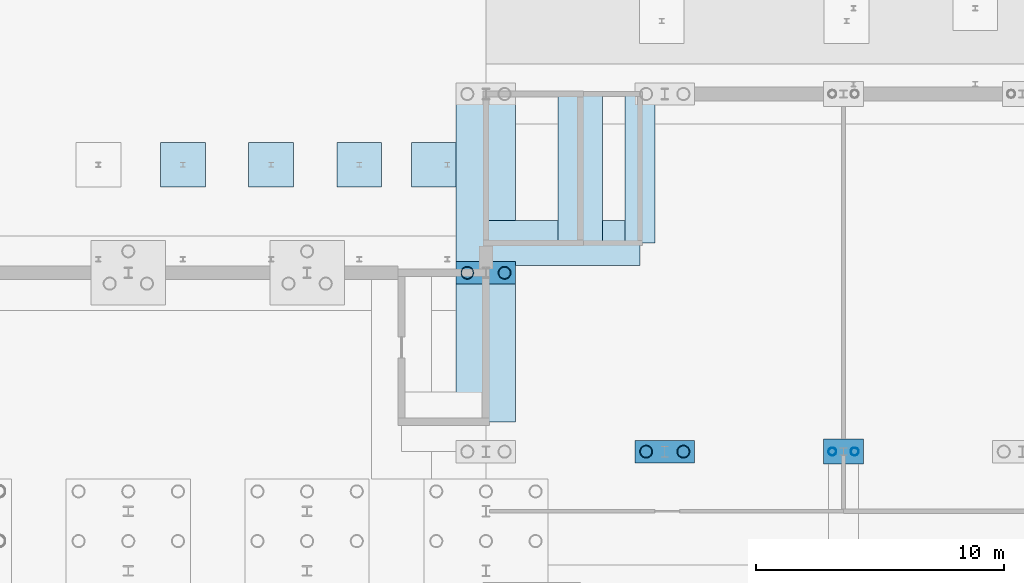
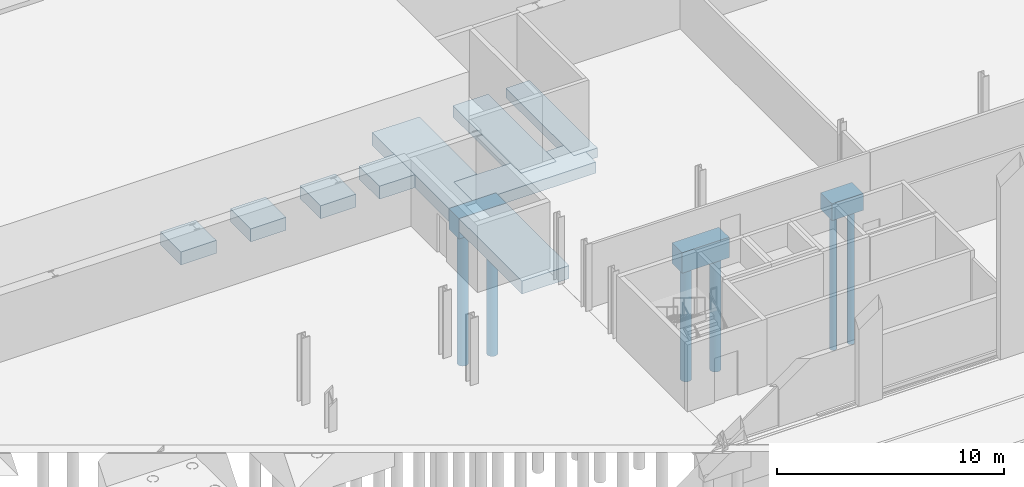
# One storey, part 29 of 148: 11 footings, 6 piles.
"""IFC4 building model written with IfcOpenShell, lengths in metres."""

from ifc_helpers import new_model, si_unit, direction, frame, origin, origin_2d, place, context, subcontext, project, spatial, rectangle, hollow_circle, extrude, material, layer, layer_set, material_profile, profile_set, type_object, element, save


model = new_model("IFC4")

# Units and contexts
model_context = context("Model", 3, precision=1e-05, world=origin(), true_north=direction((0.0, 1.0)))
body_context = subcontext(model_context, "Body", "Model", "MODEL_VIEW")
ifc_project = project(units=[si_unit("LENGTHUNIT", "METRE"), si_unit("AREAUNIT", "SQUARE_METRE"), si_unit("VOLUMEUNIT", "CUBIC_METRE"), si_unit("PLANEANGLEUNIT", "RADIAN"), si_unit("MASSUNIT", "GRAM", prefix="KILO")], contexts=[model_context])

# Site, building, storey
site_placement = place(None, origin())
site = spatial("IfcSite", under=ifc_project, at=site_placement, CompositionType="ELEMENT")
building_placement = place(site_placement, origin())
building = spatial("IfcBuilding", under=site, at=building_placement, Name="Kupolbacken Congress Centre", CompositionType="ELEMENT")
storey_placement = place(building_placement, origin())
storey = spatial("IfcBuildingStorey", under=building, at=storey_placement, Name="L00", CompositionType="ELEMENT", Elevation=0.0)

# Footings
ifc_material_1 = material(Name="Concrete C30/37", Category="concrete")
ifc_layer_1 = layer(ifc_material_1, 1.10009765625)
ifc_layer_set_1 = layer_set([ifc_layer_1], Name="Concrete C30/37")
footing_type_1 = type_object("IfcFootingType", Name="PC2 pile cap 2.40 x 0.90 x 1.10 m", PredefinedType="PILE_CAP", material=ifc_layer_set_1)
for number, where, z_axis, x_axis, name in (
    (1, (144.0, 136.800048828125, -1.400146484375), (0.0, 0.0, 1.0), (1.0, 0.0, 0.0), "S/fnd/C-BF-21V/cap"),
    (2, (136.800048828125, 144.0, -1.400146484375), (0.0, 0.0, 1.0), (1.0, 0.0, 0.0), "S/fnd/C-T-20W/cap"),
):
    element("IfcFooting", number, at=place(storey_placement, frame(where, z_axis=z_axis, x_axis=x_axis)), inside=storey, type_object=footing_type_1, Name=name, PredefinedType="PILE_CAP", context=body_context, shape_type="SweptSolid", body=[
        extrude(rectangle(XDim=2.39990234375, YDim=0.89990234375, at=origin_2d()), origin(), (0.0, 0.0, 1.0), 1.10009765625),
    ])
ifc_material_2 = material(Name="Concrete C30/37", Category="concrete")
ifc_layer_2 = layer(ifc_material_2, 0.89990234375)
ifc_layer_set_2 = layer_set([ifc_layer_2], Name="Concrete C30/37")
footing_type_2 = type_object("IfcFootingType", Name="PC7 pile cap 1.60 x 1.00 x 0.90 m", PredefinedType="PILE_CAP", material=ifc_layer_set_2)
footing_1_placement = place(storey_placement, frame((151.199951171875, 136.800048828125, -1.199951171875), z_axis=(0.0, 0.0, 1.0), x_axis=(1.0, 0.0, 0.0)))
element("IfcFooting", 3, at=footing_1_placement, inside=storey, type_object=footing_type_2, Name="S/fnd/C-B-W/cap", PredefinedType="PILE_CAP", context=body_context, shape_type="SweptSolid", body=[
    extrude(rectangle(XDim=1.60009765625, YDim=1.0, at=origin_2d()), origin(), (0.0, 0.0, 1.0), 0.89990234375),
])
ifc_material_3 = material(Name="Concrete C30/37", Category="concrete")
ifc_layer_3 = layer(ifc_material_3, 0.699951171875)
ifc_layer_set_3 = layer_set([ifc_layer_3], Name="Concrete C30/37")
footing_type_3 = type_object("IfcFootingType", Name="PD4 pad footing 1.80 x 1.80 x 0.70 m", PredefinedType="PAD_FOOTING", material=ifc_layer_set_3)
for number, where, z_axis, x_axis, name in (
    (4, (124.60009765625, 148.35009765625, -1.0), (0.0, 0.0, 1.0), (1.0, 0.0, 0.0), "C/passage/A/padN08"),
    (5, (128.14990234375, 148.35009765625, -1.0), (0.0, 0.0, 1.0), (1.0, 0.0, 0.0), "C/passage/A/padN09"),
    (6, (131.699951171875, 148.35009765625, -1.0), (0.0, 0.0, 1.0), (1.0, 0.0, 0.0), "C/passage/A/padN10"),
    (7, (134.699951171875, 148.35009765625, -1.0), (0.0, 0.0, 1.0), (1.0, 0.0, 0.0), "C/passage/A/padN11"),
):
    element("IfcFooting", number, at=place(storey_placement, frame(where, z_axis=z_axis, x_axis=x_axis)), inside=storey, type_object=footing_type_3, Name=name, PredefinedType="PAD_FOOTING", context=body_context, shape_type="SweptSolid", body=[
        extrude(rectangle(XDim=1.800048828125, YDim=1.800048828125, at=origin_2d()), origin(), (0.0, 0.0, 1.0), 0.699951171875),
    ])

# Piles
ifc_material_4 = material(Name="Steel S355", Category="steel")
ifc_material_profile_1 = material_profile(ifc_material_4, hollow_circle(Radius=0.161865234375, WallThickness=0.012451171875, at=origin_2d()), Name="CHS 323.9 x 12.5")
ifc_profile_set_1 = profile_set([ifc_material_profile_1], Name="Steel S355")
pile_type_1 = type_object("IfcPileType", Name="PL1 steel tube pile CHS 323.9 x 12.5", PredefinedType="BORED", material=ifc_profile_set_1)
for number, where, z_axis, x_axis, name in (
    (8, (150.75, 136.800048828125, -1.199951171875), (0.0, 0.0, -1.0), (1.0, 0.0, 0.0), "S/fnd/C-B-W/pile1"),
    (9, (151.64990234375, 136.800048828125, -1.199951171875), (0.0, 0.0, -1.0), (1.0, 0.0, 0.0), "S/fnd/C-B-W/pile2"),
):
    element("IfcPile", number, at=place(storey_placement, frame(where, z_axis=z_axis, x_axis=x_axis)), inside=storey, type_object=pile_type_1, Name=name, PredefinedType="BORED", context=body_context, shape_type="SweptSolid", body=[
        extrude(hollow_circle(Radius=0.161865234375, WallThickness=0.012451171875, at=origin_2d()), origin(), (0.0, 0.0, 1.0), 7.300048828125),
    ])
ifc_material_5 = material(Name="Steel S355", Category="steel")
ifc_material_profile_2 = material_profile(ifc_material_5, hollow_circle(Radius=0.25390625, WallThickness=0.02001953125, at=origin_2d()), Name="CHS 508 x 20")
ifc_profile_set_2 = profile_set([ifc_material_profile_2], Name="Steel S355")
pile_type_2 = type_object("IfcPileType", Name="PL3 steel tube pile CHS 508 x 20", PredefinedType="BORED", material=ifc_profile_set_2)
for number, where, z_axis, x_axis, name in (
    (10, (143.25, 136.800048828125, -1.39990234375), (0.0, 0.0, -1.0), (1.0, 0.0, 0.0), "S/fnd/C-BF-21V/pile1"),
    (11, (144.75, 136.800048828125, -1.39990234375), (0.0, 0.0, -1.0), (1.0, 0.0, 0.0), "S/fnd/C-BF-21V/pile2"),
):
    element("IfcPile", number, at=place(storey_placement, frame(where, z_axis=z_axis, x_axis=x_axis)), inside=storey, type_object=pile_type_2, Name=name, PredefinedType="BORED", context=body_context, shape_type="SweptSolid", body=[
        extrude(hollow_circle(Radius=0.25390625, WallThickness=0.02001953125, at=origin_2d()), origin(), (0.0, 0.0, 1.0), 6.10009765625),
    ])
for number, where, z_axis, x_axis, name in (
    (12, (136.050048828125, 144.0, -1.39990234375), (0.0, 0.0, -1.0), (1.0, 0.0, 0.0), "S/fnd/C-T-20W/pile1"),
    (13, (137.550048828125, 144.0, -1.39990234375), (0.0, 0.0, -1.0), (1.0, 0.0, 0.0), "S/fnd/C-T-20W/pile2"),
):
    element("IfcPile", number, at=place(storey_placement, frame(where, z_axis=z_axis, x_axis=x_axis)), inside=storey, type_object=pile_type_2, Name=name, PredefinedType="BORED", context=body_context, shape_type="SweptSolid", body=[
        extrude(hollow_circle(Radius=0.25390625, WallThickness=0.02001953125, at=origin_2d()), origin(), (0.0, 0.0, 1.0), 7.10009765625),
    ])

# Footings
ifc_material_6 = material(Name="Concrete C30/37", Category="concrete")
ifc_layer_4 = layer(ifc_material_6, 0.5)
ifc_layer_set_4 = layer_set([ifc_layer_4], Name="Concrete C30/37")
footing_type_4 = type_object("IfcFootingType", Name="SF1 strip footing 1.20 x 0.50 m", PredefinedType="STRIP_FOOTING", material=ifc_layer_set_4)
footing_2_placement = place(storey_placement, frame((143.0, 148.199951171875, -0.800048828125), z_axis=(0.0, 0.0, 1.0), x_axis=(0.0, 1.0, 0.0)))
element("IfcFooting", 14, at=footing_2_placement, inside=storey, type_object=footing_type_4, Name="S/fnd/core/135", PredefinedType="STRIP_FOOTING", context=body_context, shape_type="SweptSolid", body=[
    extrude(rectangle(XDim=6.0, YDim=1.199951171875, at=origin_2d()), origin(), (0.0, 0.0, 1.0), 0.5),
])
ifc_material_7 = material(Name="Concrete C30/37", Category="concrete")
ifc_layer_5 = layer(ifc_material_7, 0.60009765625)
ifc_layer_set_5 = layer_set([ifc_layer_5], Name="Concrete C30/37")
footing_type_5 = type_object("IfcFootingType", Name="SF2 strip footing 1.80 x 0.60 m", PredefinedType="STRIP_FOOTING", material=ifc_layer_set_5)
footing_3_placement = place(storey_placement, frame((139.89990234375, 145.199951171875, -0.900146484375), z_axis=(0.0, 0.0, 1.0), x_axis=(1.0, 0.0, 0.0)))
element("IfcFooting", 15, at=footing_3_placement, inside=storey, type_object=footing_type_5, Name="S/fnd/core/132", PredefinedType="STRIP_FOOTING", context=body_context, shape_type="SweptSolid", body=[
    extrude(rectangle(XDim=6.199951171875, YDim=1.800048828125, at=origin_2d()), origin(), (0.0, 0.0, 1.0), 0.60009765625),
])
footing_4_placement = place(storey_placement, frame((140.60009765625, 148.199951171875, -0.900146484375), z_axis=(0.0, 0.0, 1.0), x_axis=(0.0, 1.0, 0.0)))
element("IfcFooting", 16, at=footing_4_placement, inside=storey, type_object=footing_type_5, Name="S/fnd/core/134", PredefinedType="STRIP_FOOTING", context=body_context, shape_type="SweptSolid", body=[
    extrude(rectangle(XDim=6.0, YDim=1.800048828125, at=origin_2d()), origin(), (0.0, 0.0, 1.0), 0.60009765625),
])
ifc_material_8 = material(Name="Concrete C30/37", Category="concrete")
ifc_layer_6 = layer(ifc_material_8, 0.699951171875)
ifc_layer_set_6 = layer_set([ifc_layer_6], Name="Concrete C30/37")
footing_type_6 = type_object("IfcFootingType", Name="SF3 strip footing 2.40 x 0.70 m", PredefinedType="STRIP_FOOTING", material=ifc_layer_set_6)
footing_5_placement = place(storey_placement, frame((136.800048828125, 144.60009765625, -1.0), z_axis=(0.0, 0.0, 1.0), x_axis=(0.0, 1.0, 0.0)))
element("IfcFooting", 17, at=footing_5_placement, inside=storey, type_object=footing_type_6, Name="S/fnd/buried/BF04", PredefinedType="STRIP_FOOTING", context=body_context, shape_type="SweptSolid", body=[
    extrude(rectangle(XDim=13.199951171875, YDim=2.39990234375, at=origin_2d()), origin(), (0.0, 0.0, 1.0), 0.699951171875),
])

save(model, "model.ifc")
